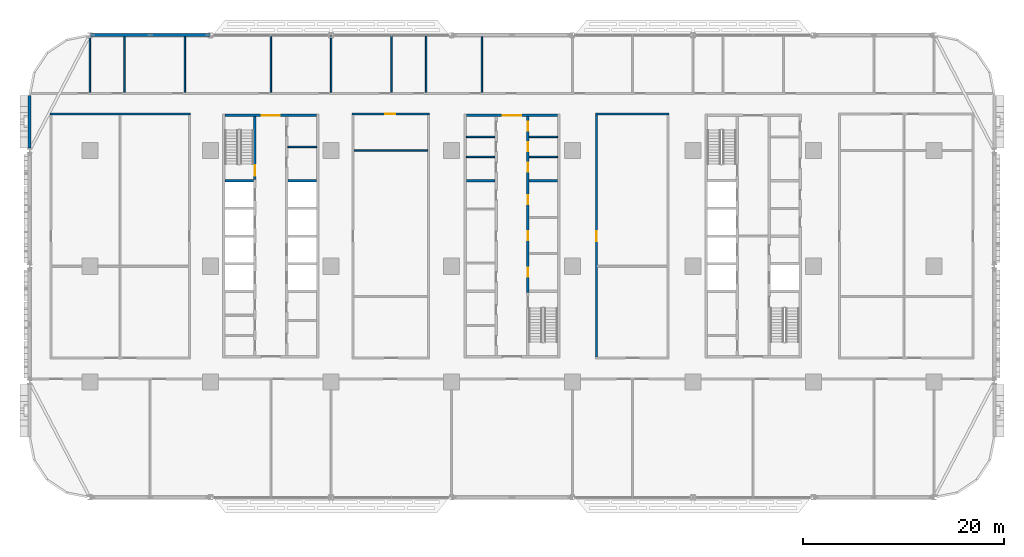
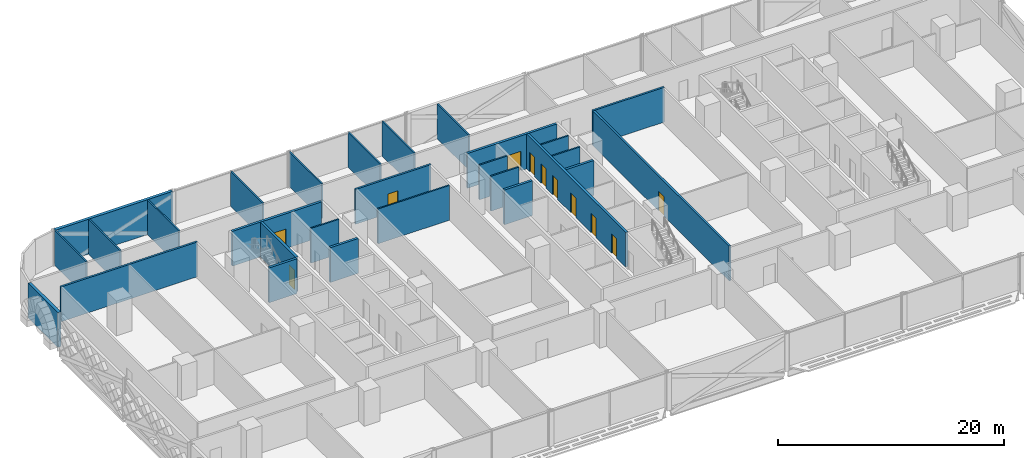
# One storey, part 12 of 29: 28 walls, 11 doors, 11 openings.
"""IFC4 building model written with IfcOpenShell, lengths in metres."""

from ifc_helpers import new_model, si_unit, direction, frame, frame_2d, origin, place, context, subcontext, project, spatial, rectangle, extrude, material, layer, layer_set, type_object, element, fill, save


model = new_model("IFC4")

# Units and contexts
model_context = context("Model", 3, precision=1e-05, world=origin(), true_north=direction((0.0, 1.0)))
body_context = subcontext(model_context, "Body", "Model", "MODEL_VIEW")
ifc_project = project(units=[si_unit("LENGTHUNIT", "METRE"), si_unit("AREAUNIT", "SQUARE_METRE"), si_unit("VOLUMEUNIT", "CUBIC_METRE"), si_unit("PLANEANGLEUNIT", "RADIAN"), si_unit("MASSUNIT", "GRAM", prefix="KILO")], contexts=[model_context])

# Site, building, storey
site_placement = place(None, origin())
site = spatial("IfcSite", under=ifc_project, at=site_placement, CompositionType="ELEMENT")
building_placement = place(site_placement, origin())
building = spatial("IfcBuilding", under=site, at=building_placement, Name="Mahtab Terrace Research Tower", CompositionType="ELEMENT")
storey_placement = place(building_placement, frame((0.0, 0.0, 37.300048828125)))
storey = spatial("IfcBuildingStorey", under=building, at=storey_placement, Name="L08", CompositionType="ELEMENT", Elevation=37.300048828125)

# Walls
ifc_material_1 = material(Name="Gypsum board partition")
ifc_layer_1 = layer(ifc_material_1, 0.14990234375)
ifc_layer_set_1 = layer_set([ifc_layer_1], Name="Core partition 150")
wall_type_1 = type_object("IfcWallType", Name="Core partition 150", PredefinedType="PARTITIONING", material=ifc_layer_set_1)
for number, where, z_axis, x_axis, name in (
    (1, (-22.300048828125, 11.875, 0.0), (0.0, 0.0, 1.0), (1.0, 0.0, 0.0), "Core wall A pEN888"),
    (2, (-4.550048828125, 10.875, 0.0), (0.0, 0.0, 1.0), (1.0, 0.0, 0.0), "Core wall B pWN788"),
    (3, (-4.550048828125, 12.875, 0.0), (0.0, 0.0, 1.0), (1.0, 0.0, 0.0), "Core wall B pWN988"),
    (4, (1.699951171875, 10.875, 0.0), (0.0, 0.0, 1.0), (1.0, 0.0, 0.0), "Core wall B pEN788"),
    (5, (1.699951171875, 12.875, 0.0), (0.0, 0.0, 1.0), (1.0, 0.0, 0.0), "Core wall B pEN988"),
):
    element("IfcWall", number, at=place(storey_placement, frame(where, z_axis=z_axis, x_axis=x_axis)), inside=storey, type_object=wall_type_1, Name=name, PredefinedType="PARTITIONING", context=body_context, shape_type="SweptSolid", body=[
        extrude(rectangle(XDim=2.85009765625, YDim=0.14990234375, at=frame_2d((1.425048828125, 0.0))), origin(), (0.0, 0.0, 1.0), 3.75),
    ])

# Wall, opening, door
ifc_material_2 = material(Name="Concrete C70/85", Category="concrete")
ifc_layer_2 = layer(ifc_material_2, 0.25)
ifc_layer_set_2 = layer_set([ifc_layer_2], Name="Core wall 250")
wall_type_2 = type_object("IfcWallType", Name="Core wall 250", PredefinedType="SOLIDWALL", material=ifc_layer_set_2)
wall_1_placement = place(storey_placement, frame((-28.550048828125, 15.0, 0.0), z_axis=(0.0, 0.0, 1.0), x_axis=(1.0, 0.0, 0.0)))
wall_1 = element("IfcWall", 6, at=wall_1_placement, inside=storey, type_object=wall_type_2, Name="Core wall A endN", PredefinedType="SOLIDWALL", context=body_context, shape_type="SweptSolid", body=[
    extrude(rectangle(XDim=9.10009765625, YDim=0.25, at=frame_2d((4.550048828125, 0.0))), origin(), (0.0, 0.0, 1.0), 3.75),
])
opening_1_placement = place(wall_1_placement, frame((3.64990234375, 0.0, 0.0)))
opening_1 = element("IfcOpeningElement", 7, at=opening_1_placement, cuts=wall_1, Name="Opening A-N1", PredefinedType="OPENING", context=body_context, shape_type="SweptSolid", body=[
    extrude(rectangle(XDim=1.800048828125, YDim=2.10009765625, at=frame_2d((0.89990234375, 1.050048828125))), frame((0.0, 0.135009765625, 0.0), z_axis=(0.0, -1.0, 0.0), x_axis=(1.0, 0.0, 0.0)), (0.0, 0.0, 1.0), 0.27001953125),
])
ifc_material_3 = material(Name="Steel fire door", Category="steel")
door_type_1 = type_object("IfcDoorType", Name="Lobby double door 1800x2100 1 HR", OperationType="DOUBLE_DOOR_SINGLE_SWING", PredefinedType="DOOR", material=ifc_material_3)
door_1_placement = place(opening_1_placement, origin())
door_1 = element("IfcDoor", 8, at=door_1_placement, inside=storey, type_object=door_type_1, Name="Core entrance door A N", OperationType="DOUBLE_DOOR_SINGLE_SWING", OverallHeight=2.10009765625, OverallWidth=1.800048828125, PredefinedType="DOOR", context=body_context, shape_type="SweptSolid", body=[
    extrude(rectangle(XDim=1.800048828125, YDim=2.10009765625, at=frame_2d((0.89990234375, 1.050048828125))), frame((0.0, 0.02490234375, 0.0), z_axis=(0.0, -1.0, 0.0), x_axis=(1.0, 0.0, 0.0)), (0.0, 0.0, 1.0), 0.050048828125),
])
fill(opening_1, door_1)

wall_2_placement = place(storey_placement, frame((-25.574951171875, 14.875, 0.0), z_axis=(0.0, 0.0, 1.0), x_axis=(0.0, -1.0, 0.0)))
wall_2 = element("IfcWall", 9, at=wall_2_placement, inside=storey, type_object=wall_type_2, Name="Core wall A innerWN", PredefinedType="SOLIDWALL", context=body_context, shape_type="SweptSolid", body=[
    extrude(rectangle(XDim=6.25, YDim=0.25, at=frame_2d((3.125, 0.0))), origin(), (0.0, 0.0, 1.0), 3.75),
])
opening_2_placement = place(wall_2_placement, frame((4.85009765625, 0.0, 0.0)))
opening_2 = element("IfcOpeningElement", 10, at=opening_2_placement, cuts=wall_2, Name="Opening A-ST1", PredefinedType="OPENING", context=body_context, shape_type="SweptSolid", body=[
    extrude(rectangle(XDim=1.0, YDim=2.10009765625, at=frame_2d((0.5, 1.050048828125))), frame((0.0, 0.135009765625, 0.0), z_axis=(0.0, -1.0, 0.0), x_axis=(1.0, 0.0, 0.0)), (0.0, 0.0, 1.0), 0.27001953125),
])
door_type_2 = type_object("IfcDoorType", Name="Stair door 1000x2100 1.5 HR", OperationType="NOTDEFINED", PredefinedType="DOOR", material=ifc_material_3)
door_2_placement = place(opening_2_placement, origin())
door_2 = element("IfcDoor", 11, at=door_2_placement, inside=storey, type_object=door_type_2, Name="Stair door ST1 L08", OperationType="SINGLE_SWING_RIGHT", OverallHeight=2.10009765625, OverallWidth=1.0, PredefinedType="DOOR", context=body_context, shape_type="SweptSolid", body=[
    extrude(rectangle(XDim=1.0, YDim=2.10009765625, at=frame_2d((0.5, 1.050048828125))), frame((0.0, 0.02490234375, 0.0), z_axis=(0.0, -1.0, 0.0), x_axis=(1.0, 0.0, 0.0)), (0.0, 0.0, 1.0), 0.050048828125),
])
fill(opening_2, door_2)

# Walls
for number, where, z_axis, x_axis, name in (
    (12, (-28.550048828125, 8.5, 0.0), (0.0, 0.0, 1.0), (1.0, 0.0, 0.0), "Core wall A divW4"),
    (13, (-22.300048828125, 8.5, 0.0), (0.0, 0.0, 1.0), (1.0, 0.0, 0.0), "Core wall A divE4"),
):
    element("IfcWall", number, at=place(storey_placement, frame(where, z_axis=z_axis, x_axis=x_axis)), inside=storey, type_object=wall_type_2, Name=name, PredefinedType="SOLIDWALL", context=body_context, shape_type="SweptSolid", body=[
        extrude(rectangle(XDim=2.85009765625, YDim=0.25, at=frame_2d((1.425048828125, 0.0))), origin(), (0.0, 0.0, 1.0), 3.75),
    ])

# Wall, opening, door
wall_3_placement = place(storey_placement, frame((-4.550048828125, 15.0, 0.0), z_axis=(0.0, 0.0, 1.0), x_axis=(1.0, 0.0, 0.0)))
wall_3 = element("IfcWall", 14, at=wall_3_placement, inside=storey, type_object=wall_type_2, Name="Core wall B endN", PredefinedType="SOLIDWALL", context=body_context, shape_type="SweptSolid", body=[
    extrude(rectangle(XDim=9.10009765625, YDim=0.25, at=frame_2d((4.550048828125, 0.0))), origin(), (0.0, 0.0, 1.0), 3.75),
])
opening_3_placement = place(wall_3_placement, frame((3.64990234375, 0.0, 0.0)))
opening_3 = element("IfcOpeningElement", 15, at=opening_3_placement, cuts=wall_3, Name="Opening B-N1", PredefinedType="OPENING", context=body_context, shape_type="SweptSolid", body=[
    extrude(rectangle(XDim=1.800048828125, YDim=2.10009765625, at=frame_2d((0.89990234375, 1.050048828125))), frame((0.0, 0.135009765625, 0.0), z_axis=(0.0, -1.0, 0.0), x_axis=(1.0, 0.0, 0.0)), (0.0, 0.0, 1.0), 0.27001953125),
])
door_3_placement = place(opening_3_placement, origin())
door_3 = element("IfcDoor", 16, at=door_3_placement, inside=storey, type_object=door_type_1, Name="Core entrance door B N", OperationType="DOUBLE_DOOR_SINGLE_SWING", OverallHeight=2.10009765625, OverallWidth=1.800048828125, PredefinedType="DOOR", context=body_context, shape_type="SweptSolid", body=[
    extrude(rectangle(XDim=1.800048828125, YDim=2.10009765625, at=frame_2d((0.89990234375, 1.050048828125))), frame((0.0, 0.02490234375, 0.0), z_axis=(0.0, -1.0, 0.0), x_axis=(1.0, 0.0, 0.0)), (0.0, 0.0, 1.0), 0.050048828125),
])
fill(opening_3, door_3)

# Wall, openings, doors
wall_4_placement = place(storey_placement, frame((1.574951171875, 14.875, 0.0), z_axis=(0.0, 0.0, 1.0), x_axis=(0.0, -1.0, 0.0)))
wall_4 = element("IfcWall", 17, at=wall_4_placement, inside=storey, type_object=wall_type_2, Name="Core wall B innerELN", PredefinedType="SOLIDWALL", context=body_context, shape_type="SweptSolid", body=[
    extrude(rectangle(XDim=17.5, YDim=0.25, at=frame_2d((8.75, 0.0))), origin(), (0.0, 0.0, 1.0), 3.75),
])
opening_4_placement = place(wall_4_placement, frame((15.010009765625, 0.0, 0.0)))
opening_4 = element("IfcOpeningElement", 18, at=opening_4_placement, cuts=wall_4, Name="Opening B-R4", PredefinedType="OPENING", context=body_context, shape_type="SweptSolid", body=[
    extrude(rectangle(XDim=0.89990234375, YDim=2.10009765625, at=frame_2d((0.449951171875, 1.050048828125))), frame((0.0, 0.135009765625, 0.0), z_axis=(0.0, -1.0, 0.0), x_axis=(1.0, 0.0, 0.0)), (0.0, 0.0, 1.0), 0.27001953125),
])
opening_5_placement = place(wall_4_placement, frame((11.37109375, 0.0, 0.0)))
opening_5 = element("IfcOpeningElement", 19, at=opening_5_placement, cuts=wall_4, Name="Opening B-R5", PredefinedType="OPENING", context=body_context, shape_type="SweptSolid", body=[
    extrude(rectangle(XDim=0.89990234375, YDim=2.10009765625, at=frame_2d((0.449951171875, 1.050048828125))), frame((0.0, 0.135009765625, 0.0), z_axis=(0.0, -1.0, 0.0), x_axis=(1.0, 0.0, 0.0)), (0.0, 0.0, 1.0), 0.27001953125),
])
opening_6_placement = place(wall_4_placement, frame((7.7861328125, 0.0, 0.0)))
opening_6 = element("IfcOpeningElement", 20, at=opening_6_placement, cuts=wall_4, Name="Opening B-R6", PredefinedType="OPENING", context=body_context, shape_type="SweptSolid", body=[
    extrude(rectangle(XDim=0.89990234375, YDim=2.10009765625, at=frame_2d((0.449951171875, 1.050048828125))), frame((0.0, 0.135009765625, 0.0), z_axis=(0.0, -1.0, 0.0), x_axis=(1.0, 0.0, 0.0)), (0.0, 0.0, 1.0), 0.27001953125),
])
opening_7_placement = place(wall_4_placement, frame((4.58740234375, 0.0, 0.0)))
opening_7 = element("IfcOpeningElement", 21, at=opening_7_placement, cuts=wall_4, Name="Opening B-R12", PredefinedType="OPENING", context=body_context, shape_type="SweptSolid", body=[
    extrude(rectangle(XDim=0.89990234375, YDim=2.10009765625, at=frame_2d((0.449951171875, 1.050048828125))), frame((0.0, 0.135009765625, 0.0), z_axis=(0.0, -1.0, 0.0), x_axis=(1.0, 0.0, 0.0)), (0.0, 0.0, 1.0), 0.27001953125),
])
opening_8_placement = place(wall_4_placement, frame((2.550048828125, 0.0, 0.0)))
opening_8 = element("IfcOpeningElement", 22, at=opening_8_placement, cuts=wall_4, Name="Opening B-R13", PredefinedType="OPENING", context=body_context, shape_type="SweptSolid", body=[
    extrude(rectangle(XDim=0.89990234375, YDim=2.10009765625, at=frame_2d((0.449951171875, 1.050048828125))), frame((0.0, 0.135009765625, 0.0), z_axis=(0.0, -1.0, 0.0), x_axis=(1.0, 0.0, 0.0)), (0.0, 0.0, 1.0), 0.27001953125),
])
opening_9_placement = place(wall_4_placement, frame((0.512451171875, 0.0, 0.0)))
opening_9 = element("IfcOpeningElement", 23, at=opening_9_placement, cuts=wall_4, Name="Opening B-R14", PredefinedType="OPENING", context=body_context, shape_type="SweptSolid", body=[
    extrude(rectangle(XDim=0.89990234375, YDim=2.10009765625, at=frame_2d((0.449951171875, 1.050048828125))), frame((0.0, 0.135009765625, 0.0), z_axis=(0.0, -1.0, 0.0), x_axis=(1.0, 0.0, 0.0)), (0.0, 0.0, 1.0), 0.27001953125),
])
door_type_3 = type_object("IfcDoorType", Name="Room door 900x2100 1 HR", OperationType="NOTDEFINED", PredefinedType="DOOR", material=ifc_material_3)
door_4_placement = place(opening_4_placement, origin())
door_4 = element("IfcDoor", 24, at=door_4_placement, inside=storey, type_object=door_type_3, Name="Battery room door", OperationType="SINGLE_SWING_RIGHT", OverallHeight=2.10009765625, OverallWidth=0.89990234375, PredefinedType="DOOR", context=body_context, shape_type="SweptSolid", body=[
    extrude(rectangle(XDim=0.89990234375, YDim=2.10009765625, at=frame_2d((0.449951171875, 1.050048828125))), frame((0.0, 0.02490234375, 0.0), z_axis=(0.0, -1.0, 0.0), x_axis=(1.0, 0.0, 0.0)), (0.0, 0.0, 1.0), 0.050048828125),
])
fill(opening_4, door_4)
door_5_placement = place(opening_5_placement, origin())
door_5 = element("IfcDoor", 25, at=door_5_placement, inside=storey, type_object=door_type_3, Name="Cooling plant room door", OperationType="SINGLE_SWING_LEFT", OverallHeight=2.10009765625, OverallWidth=0.89990234375, PredefinedType="DOOR", context=body_context, shape_type="SweptSolid", body=[
    extrude(rectangle(XDim=0.89990234375, YDim=2.10009765625, at=frame_2d((0.449951171875, 1.050048828125))), frame((0.0, 0.02490234375, 0.0), z_axis=(0.0, -1.0, 0.0), x_axis=(1.0, 0.0, 0.0)), (0.0, 0.0, 1.0), 0.050048828125),
])
fill(opening_5, door_5)
door_6_placement = place(opening_6_placement, origin())
door_6 = element("IfcDoor", 26, at=door_6_placement, inside=storey, type_object=door_type_3, Name="Spare parts store door", OperationType="SINGLE_SWING_RIGHT", OverallHeight=2.10009765625, OverallWidth=0.89990234375, PredefinedType="DOOR", context=body_context, shape_type="SweptSolid", body=[
    extrude(rectangle(XDim=0.89990234375, YDim=2.10009765625, at=frame_2d((0.449951171875, 1.050048828125))), frame((0.0, 0.02490234375, 0.0), z_axis=(0.0, -1.0, 0.0), x_axis=(1.0, 0.0, 0.0)), (0.0, 0.0, 1.0), 0.050048828125),
])
fill(opening_6, door_6)
door_7_placement = place(opening_7_placement, origin())
door_7 = element("IfcDoor", 27, at=door_7_placement, inside=storey, type_object=door_type_3, Name="Male WC door", OperationType="SINGLE_SWING_RIGHT", OverallHeight=2.10009765625, OverallWidth=0.89990234375, PredefinedType="DOOR", context=body_context, shape_type="SweptSolid", body=[
    extrude(rectangle(XDim=0.89990234375, YDim=2.10009765625, at=frame_2d((0.449951171875, 1.050048828125))), frame((0.0, 0.02490234375, 0.0), z_axis=(0.0, -1.0, 0.0), x_axis=(1.0, 0.0, 0.0)), (0.0, 0.0, 1.0), 0.050048828125),
])
fill(opening_7, door_7)
door_8_placement = place(opening_8_placement, origin())
door_8 = element("IfcDoor", 28, at=door_8_placement, inside=storey, type_object=door_type_3, Name="Female WC door", OperationType="SINGLE_SWING_LEFT", OverallHeight=2.10009765625, OverallWidth=0.89990234375, PredefinedType="DOOR", context=body_context, shape_type="SweptSolid", body=[
    extrude(rectangle(XDim=0.89990234375, YDim=2.10009765625, at=frame_2d((0.449951171875, 1.050048828125))), frame((0.0, 0.02490234375, 0.0), z_axis=(0.0, -1.0, 0.0), x_axis=(1.0, 0.0, 0.0)), (0.0, 0.0, 1.0), 0.050048828125),
])
fill(opening_8, door_8)
door_9_placement = place(opening_9_placement, origin())
door_9 = element("IfcDoor", 29, at=door_9_placement, inside=storey, type_object=door_type_3, Name="Accessible WC door", OperationType="SINGLE_SWING_RIGHT", OverallHeight=2.10009765625, OverallWidth=0.89990234375, PredefinedType="DOOR", context=body_context, shape_type="SweptSolid", body=[
    extrude(rectangle(XDim=0.89990234375, YDim=2.10009765625, at=frame_2d((0.449951171875, 1.050048828125))), frame((0.0, 0.02490234375, 0.0), z_axis=(0.0, -1.0, 0.0), x_axis=(1.0, 0.0, 0.0)), (0.0, 0.0, 1.0), 0.050048828125),
])
fill(opening_9, door_9)

# Walls
for number, where, z_axis, x_axis, name in (
    (30, (-4.550048828125, 8.5, 0.0), (0.0, 0.0, 1.0), (1.0, 0.0, 0.0), "Core wall B divW4"),
    (31, (1.699951171875, 8.5, 0.0), (0.0, 0.0, 1.0), (1.0, 0.0, 0.0), "Core wall B divE4"),
):
    element("IfcWall", number, at=place(storey_placement, frame(where, z_axis=z_axis, x_axis=x_axis)), inside=storey, type_object=wall_type_2, Name=name, PredefinedType="SOLIDWALL", context=body_context, shape_type="SweptSolid", body=[
        extrude(rectangle(XDim=2.85009765625, YDim=0.25, at=frame_2d((1.425048828125, 0.0))), origin(), (0.0, 0.0, 1.0), 3.75),
    ])
ifc_material_4 = material(Name="Black aluminium cladding panel", Category="aluminium")
ifc_layer_3 = layer(ifc_material_4, 0.300048828125)
ifc_layer_set_3 = layer_set([ifc_layer_3], Name="Opaque facade wall 300")
wall_type_3 = type_object("IfcWallType", Name="Opaque facade wall 300", PredefinedType="NOTDEFINED", material=ifc_layer_set_3)
wall_5_placement = place(storey_placement, frame((-30.02783203125, 23.0, 0.0), z_axis=(0.0, 0.0, 1.0), x_axis=(-1.0, 0.0, 0.0)))
element("IfcWall", 32, at=wall_5_placement, inside=storey, type_object=wall_type_3, Name="Opaque facade wall L08 N9", PredefinedType="NOTDEFINED", context=body_context, shape_type="SweptSolid", body=[
    extrude(rectangle(XDim=11.9443359375, YDim=0.300048828125, at=frame_2d((5.97216796875, 0.0))), origin(), (0.0, 0.0, 1.0), 3.75),
])
wall_6_placement = place(storey_placement, frame((-48.0, 17.0, 0.0), z_axis=(0.0, 0.0, 1.0), x_axis=(0.0, -1.0, 0.0)))
element("IfcWall", 33, at=wall_6_placement, inside=storey, type_object=wall_type_3, Name="Opaque facade wall L08 W14", PredefinedType="NOTDEFINED", context=body_context, shape_type="SweptSolid", body=[
    extrude(rectangle(XDim=5.2509765625, YDim=0.300048828125, at=frame_2d((2.62548828125, 0.0))), origin(), (0.0, 0.0, 1.0), 3.75),
])
ifc_material_5 = material(Name="Gypsum board corridor wall on steel studs", Category="steel")
ifc_layer_4 = layer(ifc_material_5, 0.199951171875)
ifc_layer_set_4 = layer_set([ifc_layer_4], Name="WALL CORRIDOR 200")
wall_type_4 = type_object("IfcWallType", Name="WALL CORRIDOR 200", PredefinedType="PARTITIONING", material=ifc_layer_set_4)
wall_7_placement = place(storey_placement, frame((-45.949951171875, 15.125, 0.0), z_axis=(0.0, 0.0, 1.0), x_axis=(1.0, 0.0, 0.0)))
element("IfcWall", 34, at=wall_7_placement, inside=storey, type_object=wall_type_4, Name="L08-W022", PredefinedType="PARTITIONING", context=body_context, shape_type="SweptSolid", body=[
    extrude(rectangle(XDim=13.949951171875, YDim=0.199951171875, at=frame_2d((6.97509765625, 0.0))), origin(), (0.0, 0.0, 1.0), 3.75),
])

# Wall, opening, door
wall_8_placement = place(storey_placement, frame((-15.89990234375, 15.125, 0.0), z_axis=(0.0, 0.0, 1.0), x_axis=(1.0, 0.0, 0.0)))
wall_8 = element("IfcWall", 35, at=wall_8_placement, inside=storey, type_object=wall_type_4, Name="L08-W023", PredefinedType="PARTITIONING", context=body_context, shape_type="SweptSolid", body=[
    extrude(rectangle(XDim=7.699951171875, YDim=0.199951171875, at=frame_2d((3.85009765625, 0.0))), origin(), (0.0, 0.0, 1.0), 3.75),
])
opening_10_placement = place(wall_8_placement, frame((3.300048828125, 0.0, 0.0)))
opening_10 = element("IfcOpeningElement", 36, at=opening_10_placement, cuts=wall_8, Name="Opening L08-123", PredefinedType="OPENING", context=body_context, shape_type="SweptSolid", body=[
    extrude(rectangle(XDim=1.0, YDim=2.10009765625, at=frame_2d((0.5, 1.050048828125))), frame((0.0, 0.10986328125, 0.0), z_axis=(0.0, -1.0, 0.0), x_axis=(1.0, 0.0, 0.0)), (0.0, 0.0, 1.0), 0.219970703125),
])
ifc_material_6 = material(Name="Timber door leaf in steel frame", Category="steel")
door_type_4 = type_object("IfcDoorType", Name="DOOR 1000X2100 FD30S", OperationType="SINGLE_SWING_LEFT", PredefinedType="DOOR", material=ifc_material_6)
door_10_placement = place(opening_10_placement, origin())
door_10 = element("IfcDoor", 37, at=door_10_placement, inside=storey, type_object=door_type_4, Name="Door L08-123", OperationType="SINGLE_SWING_RIGHT", OverallHeight=2.10009765625, OverallWidth=1.0, PredefinedType="DOOR", context=body_context, shape_type="SweptSolid", body=[
    extrude(rectangle(XDim=1.0, YDim=2.10009765625, at=frame_2d((0.5, 1.050048828125))), frame((0.0, 0.02490234375, 0.0), z_axis=(0.0, -1.0, 0.0), x_axis=(1.0, 0.0, 0.0)), (0.0, 0.0, 1.0), 0.050048828125),
])
fill(opening_10, door_10)

# Wall
wall_9_placement = place(storey_placement, frame((8.300048828125, 15.125, 0.0), z_axis=(0.0, 0.0, 1.0), x_axis=(1.0, 0.0, 0.0)))
element("IfcWall", 38, at=wall_9_placement, inside=storey, type_object=wall_type_4, Name="L08-W024", PredefinedType="PARTITIONING", context=body_context, shape_type="SweptSolid", body=[
    extrude(rectangle(XDim=7.300048828125, YDim=0.199951171875, at=frame_2d((3.64990234375, 0.0))), origin(), (0.0, 0.0, 1.0), 3.75),
])

# Wall, opening, door
wall_10_placement = place(storey_placement, frame((8.39990234375, -9.02490234375, 0.0), z_axis=(0.0, 0.0, 1.0), x_axis=(0.0, 1.0, 0.0)))
wall_10 = element("IfcWall", 39, at=wall_10_placement, inside=storey, type_object=wall_type_4, Name="L08-W046", PredefinedType="PARTITIONING", context=body_context, shape_type="SweptSolid", body=[
    extrude(rectangle(XDim=24.0498046875, YDim=0.199951171875, at=frame_2d((12.02490234375, 0.0))), origin(), (0.0, 0.0, 1.0), 3.75),
])
opening_11_placement = place(wall_10_placement, frame((11.5, 0.0, 0.0)))
opening_11 = element("IfcOpeningElement", 40, at=opening_11_placement, cuts=wall_10, Name="Opening L08-122", PredefinedType="OPENING", context=body_context, shape_type="SweptSolid", body=[
    extrude(rectangle(XDim=1.0, YDim=2.10009765625, at=frame_2d((0.5, 1.050048828125))), frame((0.0, 0.10986328125, 0.0), z_axis=(0.0, -1.0, 0.0), x_axis=(1.0, 0.0, 0.0)), (0.0, 0.0, 1.0), 0.219970703125),
])
door_11_placement = place(opening_11_placement, origin())
door_11 = element("IfcDoor", 41, at=door_11_placement, inside=storey, type_object=door_type_4, Name="Door L08-122", OperationType="SINGLE_SWING_RIGHT", OverallHeight=2.10009765625, OverallWidth=1.0, PredefinedType="DOOR", context=body_context, shape_type="SweptSolid", body=[
    extrude(rectangle(XDim=1.0, YDim=2.10009765625, at=frame_2d((0.5, 1.050048828125))), frame((0.0, 0.02490234375, 0.0), z_axis=(0.0, -1.0, 0.0), x_axis=(1.0, 0.0, 0.0)), (0.0, 0.0, 1.0), 0.050048828125),
])
fill(opening_11, door_11)

# Walls
ifc_material_7 = material(Name="Gypsum board partition on steel studs", Category="steel")
ifc_layer_5 = layer(ifc_material_7, 0.14990234375)
ifc_layer_set_5 = layer_set([ifc_layer_5], Name="WALL PARTITION 150")
wall_type_5 = type_object("IfcWallType", Name="WALL PARTITION 150", PredefinedType="PARTITIONING", material=ifc_layer_set_5)
wall_11_placement = place(storey_placement, frame((-15.699951171875, 11.5, 0.0), z_axis=(0.0, 0.0, 1.0), x_axis=(1.0, 0.0, 0.0)))
element("IfcWall", 42, at=wall_11_placement, inside=storey, type_object=wall_type_5, Name="L08-W019", PredefinedType="PARTITIONING", context=body_context, shape_type="SweptSolid", body=[
    extrude(rectangle(XDim=7.300048828125, YDim=0.14990234375, at=frame_2d((3.64990234375, 0.0))), origin(), (0.0, 0.0, 1.0), 3.75),
])
wall_12_placement = place(storey_placement, frame((-42.0, 17.300048828125, 0.0), z_axis=(0.0, 0.0, 1.0), x_axis=(0.0, 1.0, 0.0)))
element("IfcWall", 43, at=wall_12_placement, inside=storey, type_object=wall_type_5, Name="L08-W028", PredefinedType="PARTITIONING", context=body_context, shape_type="SweptSolid", body=[
    extrude(rectangle(XDim=5.547119140625, YDim=0.14990234375, at=frame_2d((2.7734375, 0.0))), origin(), (0.0, 0.0, 1.0), 3.75),
])
for number, where, z_axis, x_axis, name in (
    (44, (-38.550048828125, 17.300048828125, 0.0), (0.0, 0.0, 1.0), (0.0, 1.0, 0.0), "L08-W030"),
    (45, (-32.550048828125, 17.300048828125, 0.0), (0.0, 0.0, 1.0), (0.0, 1.0, 0.0), "L08-W032"),
):
    element("IfcWall", number, at=place(storey_placement, frame(where, z_axis=z_axis, x_axis=x_axis)), inside=storey, type_object=wall_type_5, Name=name, PredefinedType="PARTITIONING", context=body_context, shape_type="SweptSolid", body=[
        extrude(rectangle(XDim=5.550048828125, YDim=0.14990234375, at=frame_2d((2.77490234375, 0.0))), origin(), (0.0, 0.0, 1.0), 3.75),
    ])
for number, where, z_axis, x_axis, name in (
    (46, (-24.0, 17.300048828125, 0.0), (0.0, 0.0, 1.0), (0.0, 1.0, 0.0), "L08-W035"),
    (47, (-18.0, 17.300048828125, 0.0), (0.0, 0.0, 1.0), (0.0, 1.0, 0.0), "L08-W037"),
    (48, (-12.0, 17.300048828125, 0.0), (0.0, 0.0, 1.0), (0.0, 1.0, 0.0), "L08-W039"),
    (49, (-8.550048828125, 17.300048828125, 0.0), (0.0, 0.0, 1.0), (0.0, 1.0, 0.0), "L08-W040"),
):
    element("IfcWall", number, at=place(storey_placement, frame(where, z_axis=z_axis, x_axis=x_axis)), inside=storey, type_object=wall_type_5, Name=name, PredefinedType="PARTITIONING", context=body_context, shape_type="SweptSolid", body=[
        extrude(rectangle(XDim=5.675048828125, YDim=0.14990234375, at=frame_2d((2.83740234375, 0.0))), origin(), (0.0, 0.0, 1.0), 3.75),
    ])
wall_13_placement = place(storey_placement, frame((-3.0, 17.300048828125, 0.0), z_axis=(0.0, 0.0, 1.0), x_axis=(0.0, 1.0, 0.0)))
element("IfcWall", 50, at=wall_13_placement, inside=storey, type_object=wall_type_5, Name="L08-W043", PredefinedType="PARTITIONING", context=body_context, shape_type="SweptSolid", body=[
    extrude(rectangle(XDim=5.550048828125, YDim=0.14990234375, at=frame_2d((2.77490234375, 0.0))), origin(), (0.0, 0.0, 1.0), 3.75),
])

save(model, "model.ifc")
